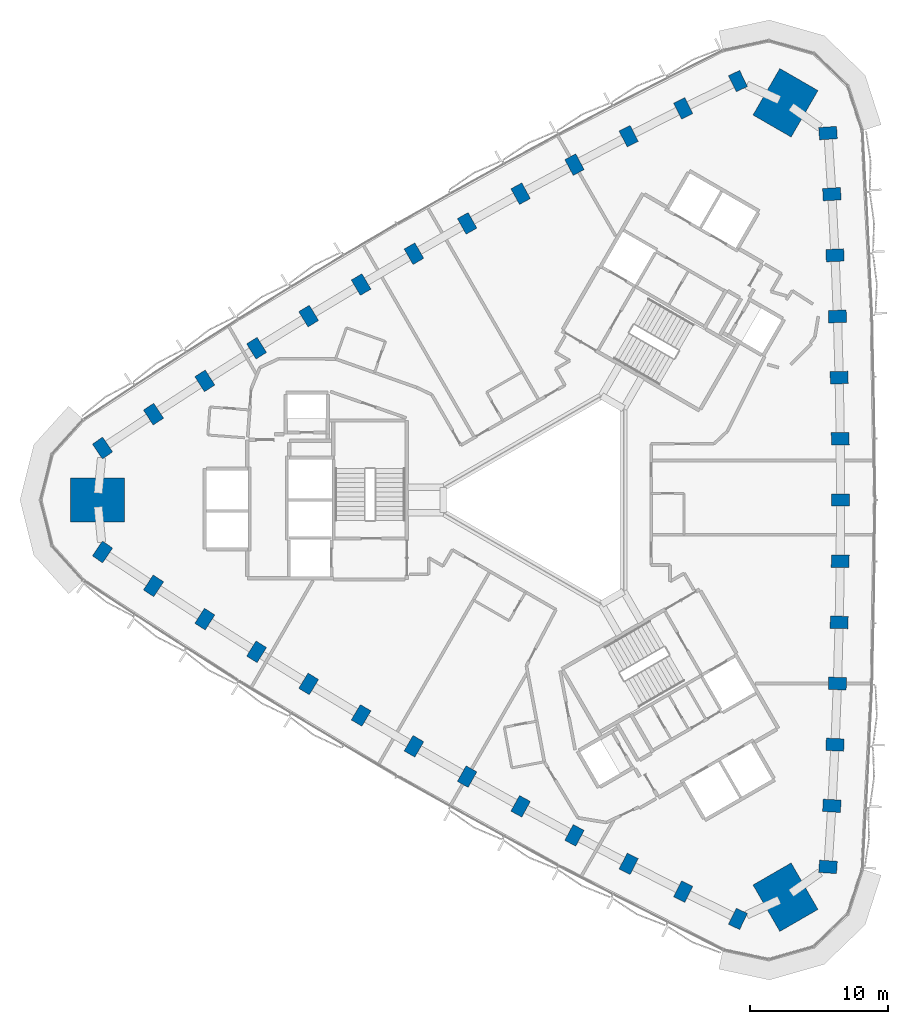
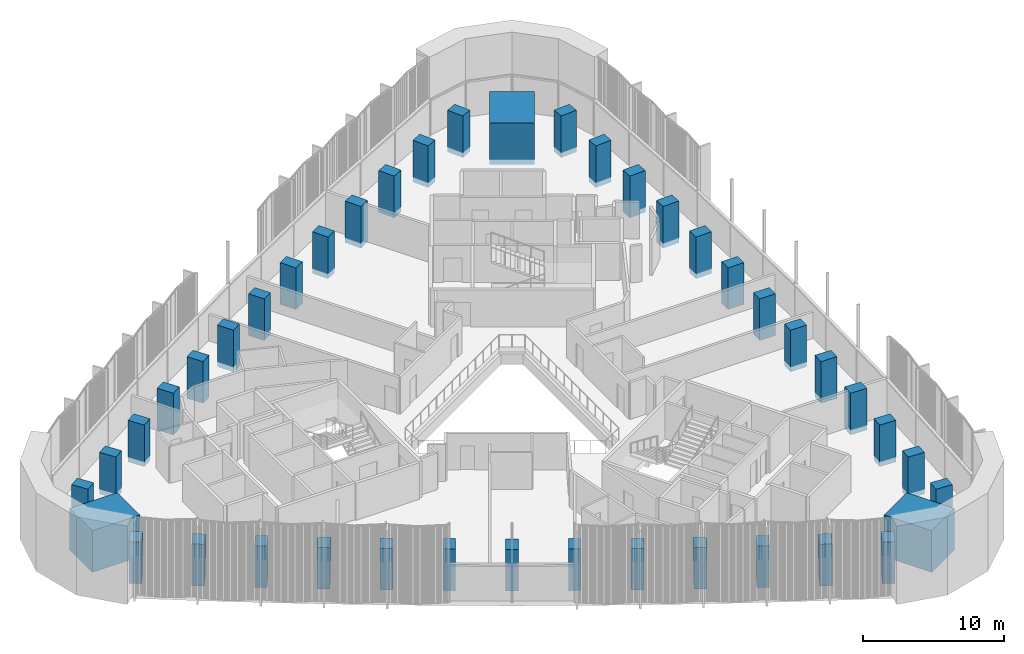
# One storey, part 1 of 15: 42 columns.
"""IFC4 building model written with IfcOpenShell, lengths in metres."""

from ifc_helpers import new_model, si_unit, direction, frame, origin, origin_2d, place, context, subcontext, project, spatial, rectangle, extrude, material, material_profile, profile_set, type_object, element, save


model = new_model("IFC4")

# Units and contexts
model_context = context("Model", 3, precision=1e-05, world=origin(), true_north=direction((0.0, 1.0)))
body_context = subcontext(model_context, "Body", "Model", "MODEL_VIEW")
ifc_project = project(units=[si_unit("LENGTHUNIT", "METRE"), si_unit("AREAUNIT", "SQUARE_METRE"), si_unit("VOLUMEUNIT", "CUBIC_METRE"), si_unit("PLANEANGLEUNIT", "RADIAN"), si_unit("MASSUNIT", "GRAM", prefix="KILO")], contexts=[model_context])

# Site, building, storey
site_placement = place(None, origin())
site = spatial("IfcSite", under=ifc_project, at=site_placement, CompositionType="ELEMENT")
building_placement = place(site_placement, origin())
building = spatial("IfcBuilding", under=site, at=building_placement, Name="Tamra Quay Hotel Tower", CompositionType="ELEMENT")
storey_placement = place(building_placement, frame((0.0, 0.0, 90.199951171875)))
storey = spatial("IfcBuildingStorey", under=building, at=storey_placement, Name="L21", CompositionType="ELEMENT", Elevation=90.199951171875)

# Columns
ifc_material = material(Name="Concrete M70", Category="concrete")
ifc_material_profile_1 = material_profile(ifc_material, rectangle(XDim=1.300048828125, YDim=0.89990234375, at=origin_2d()), Name="COLUMN RC 900x1300 Z2")
ifc_profile_set_1 = profile_set([ifc_material_profile_1], Name="Concrete M70")
column_type_1 = type_object("IfcColumnType", Name="COLUMN RC 900x1300 Z2", PredefinedType="COLUMN", material=ifc_profile_set_1)
for number, where, z_axis, x_axis, name in (
    (1, (19.746337890625, -26.648681640625, -0.425048828125), (0.0, 0.0, 1.0), (-0.997682497858, 0.068041409955, 0.0), "COL-C2E01-L21"),
    (2, (20.02490234375, -22.212158203125, -0.425048828125), (0.0, 0.0, 1.0), (-0.998368034899, 0.057107502941, 0.0), "COL-C2E02-L21"),
    (3, (20.2529296875, -17.773193359375, -0.425048828125), (0.0, 0.0, 1.0), (-0.99895467426, 0.04571169187, 0.0), "COL-C2E03-L21"),
    (4, (20.430419921875, -13.331787109375, -0.425048828125), (0.0, 0.0, 1.0), (-0.999411600314, 0.034299462929, 0.0), "COL-C2E04-L21"),
    (5, (20.557373046875, -8.888916015625, -0.425048828125), (0.0, 0.0, 1.0), (-0.999738355025, 0.022874035338, 0.0), "COL-C2E05-L21"),
    (6, (20.633544921875, -4.44482421875, -0.425048828125), (0.0, 0.0, 1.0), (-0.999934576635, 0.01143863846, 0.0), "COL-C2E06-L21"),
    (7, (20.658935546875, 0.0, -0.425048828125), (0.0, 0.0, 1.0), (1.0, 0.0, 0.0), "COL-C2E07-L21"),
    (8, (20.633544921875, 4.44482421875, -0.425048828125), (0.0, 0.0, 1.0), (0.999934576635, 0.01143863846, 0.0), "COL-C2E08-L21"),
    (9, (20.557373046875, 8.888916015625, -0.425048828125), (0.0, 0.0, 1.0), (0.999738355025, 0.022874035338, 0.0), "COL-C2E09-L21"),
    (10, (20.430419921875, 13.331787109375, -0.425048828125), (0.0, 0.0, 1.0), (0.999411600314, 0.034299462929, 0.0), "COL-C2E10-L21"),
    (11, (20.2529296875, 17.773193359375, -0.425048828125), (0.0, 0.0, 1.0), (0.99895467426, 0.04571169187, 0.0), "COL-C2E11-L21"),
    (12, (20.02490234375, 22.212158203125, -0.425048828125), (0.0, 0.0, 1.0), (0.998368034899, 0.057107502941, 0.0), "COL-C2E12-L21"),
    (13, (19.746337890625, 26.648681640625, -0.425048828125), (0.0, 0.0, 1.0), (0.997682497858, 0.068041409955, 0.0), "COL-C2E13-L21"),
    (14, (13.205078125, 30.425048828125, -0.425048828125), (0.0, 0.0, 1.0), (-0.439915659398, 0.898039093033, 0.0), "COL-C2NW01-L21"),
    (15, (9.223876953125, 28.4482421875, -0.425048828125), (0.0, 0.0, 1.0), (-0.449727469156, 0.893165832019, 0.0), "COL-C2NW02-L21"),
    (16, (5.265625, 26.42626953125, -0.425048828125), (0.0, 0.0, 1.0), (-0.459889850721, 0.887975971074, 0.0), "COL-C2NW03-L21"),
    (17, (1.33056640625, 24.359375, -0.425048828125), (0.0, 0.0, 1.0), (-0.470001593924, 0.882665566174, 0.0), "COL-C2NW04-L21"),
    (18, (-2.580810546875, 22.247802734375, -0.425048828125), (0.0, 0.0, 1.0), (-0.480059681822, 0.877235830258, 0.0), "COL-C2NW05-L21"),
    (19, (-6.467529296875, 20.091552734375, -0.425048828125), (0.0, 0.0, 1.0), (-0.490061136827, 0.871688064718, 0.0), "COL-C2NW06-L21"),
    (20, (-10.32958984375, 17.89111328125, -0.425048828125), (0.0, 0.0, 1.0), (-0.5, 0.866025403784, 0.0), "COL-C2NW07-L21"),
    (21, (-14.166015625, 15.646728515625, -0.425048828125), (0.0, 0.0, 1.0), (-0.509873439808, 0.860249426259, 0.0), "COL-C2NW08-L21"),
    (22, (-17.976806640625, 13.35888671875, -0.425048828125), (0.0, 0.0, 1.0), (-0.519678673202, 0.85436179492, 0.0), "COL-C2NW09-L21"),
    (23, (-21.760986328125, 11.02734375, -0.425048828125), (0.0, 0.0, 1.0), (-0.52941000639, 0.848366103245, 0.0), "COL-C2NW10-L21"),
    (24, (-25.5185546875, 8.653076171875, -0.425048828125), (0.0, 0.0, 1.0), (-0.539064823539, 0.842264279204, 0.0), "COL-C2NW11-L21"),
    (25, (-29.248779296875, 6.23583984375, -0.425048828125), (0.0, 0.0, 1.0), (-0.548640565743, 0.836058329078, 0.0), "COL-C2NW12-L21"),
    (26, (-32.951416015625, 3.776611328125, -0.425048828125), (0.0, 0.0, 1.0), (-0.557766838459, 0.829997683078, 0.0), "COL-C2NW13-L21"),
    (27, (-32.951416015625, -3.776611328125, -0.425048828125), (0.0, 0.0, 1.0), (0.557766838459, 0.829997683078, 0.0), "COL-C2SW01-L21"),
    (28, (-29.248779296875, -6.23583984375, -0.425048828125), (0.0, 0.0, 1.0), (0.548640565743, 0.836058329078, 0.0), "COL-C2SW02-L21"),
    (29, (-25.5185546875, -8.653076171875, -0.425048828125), (0.0, 0.0, 1.0), (0.539064823539, 0.842264279204, 0.0), "COL-C2SW03-L21"),
    (30, (-21.760986328125, -11.02734375, -0.425048828125), (0.0, 0.0, 1.0), (0.52941000639, 0.848366103245, 0.0), "COL-C2SW04-L21"),
    (31, (-17.976806640625, -13.35888671875, -0.425048828125), (0.0, 0.0, 1.0), (0.519678673202, 0.85436179492, 0.0), "COL-C2SW05-L21"),
    (32, (-14.166015625, -15.646728515625, -0.425048828125), (0.0, 0.0, 1.0), (0.509873439808, 0.860249426259, 0.0), "COL-C2SW06-L21"),
    (33, (-10.32958984375, -17.89111328125, -0.425048828125), (0.0, 0.0, 1.0), (0.5, 0.866025403784, 0.0), "COL-C2SW07-L21"),
    (34, (-6.467529296875, -20.091552734375, -0.425048828125), (0.0, 0.0, 1.0), (0.490061136827, 0.871688064718, 0.0), "COL-C2SW08-L21"),
    (35, (-2.580810546875, -22.247802734375, -0.425048828125), (0.0, 0.0, 1.0), (0.480059681822, 0.877235830258, 0.0), "COL-C2SW09-L21"),
    (36, (1.33056640625, -24.359375, -0.425048828125), (0.0, 0.0, 1.0), (0.470001593924, 0.882665566174, 0.0), "COL-C2SW10-L21"),
    (37, (5.265625, -26.42626953125, -0.425048828125), (0.0, 0.0, 1.0), (0.459889850721, 0.887975971074, 0.0), "COL-C2SW11-L21"),
    (38, (9.223876953125, -28.4482421875, -0.425048828125), (0.0, 0.0, 1.0), (0.449727469156, 0.893165832019, 0.0), "COL-C2SW12-L21"),
    (39, (13.205078125, -30.425048828125, -0.425048828125), (0.0, 0.0, 1.0), (0.439915659398, 0.898039093033, 0.0), "COL-C2SW13-L21"),
):
    element("IfcColumn", number, at=place(storey_placement, frame(where, z_axis=z_axis, x_axis=x_axis)), inside=storey, type_object=column_type_1, Name=name, PredefinedType="COLUMN", context=body_context, shape_type="SweptSolid", body=[
        extrude(rectangle(XDim=1.300048828125, YDim=0.89990234375, at=origin_2d()), origin(), (0.0, 0.0, 1.0), 3.60009765625),
    ])
ifc_material_profile_2 = material_profile(ifc_material, rectangle(XDim=3.89990234375, YDim=3.199951171875, at=origin_2d()), Name="MEGA COLUMN RC 3200x3900 Z2")
ifc_profile_set_2 = profile_set([ifc_material_profile_2], Name="Concrete M70")
column_type_2 = type_object("IfcColumnType", Name="MEGA COLUMN RC 3200x3900 Z2", PredefinedType="COLUMN", material=ifc_profile_set_2)
for number, where, z_axis, x_axis, name in (
    (40, (16.65673828125, 28.8505859375, -0.425048828125), (0.0, 0.0, 1.0), (0.5, 0.866025403784, 0.0), "COL-M2NE-L21"),
    (41, (-33.313720703125, 0.0, -0.425048828125), (0.0, 0.0, 1.0), (1.0, 0.0, 0.0), "COL-M2W-L21"),
    (42, (16.65673828125, -28.8505859375, -0.425048828125), (0.0, 0.0, 1.0), (-0.5, 0.866025403784, 0.0), "COL-M2SE-L21"),
):
    element("IfcColumn", number, at=place(storey_placement, frame(where, z_axis=z_axis, x_axis=x_axis)), inside=storey, type_object=column_type_2, Name=name, PredefinedType="COLUMN", context=body_context, shape_type="SweptSolid", body=[
        extrude(rectangle(XDim=3.89990234375, YDim=3.199951171875, at=origin_2d()), origin(), (0.0, 0.0, 1.0), 3.60009765625),
    ])

save(model, "model.ifc")
